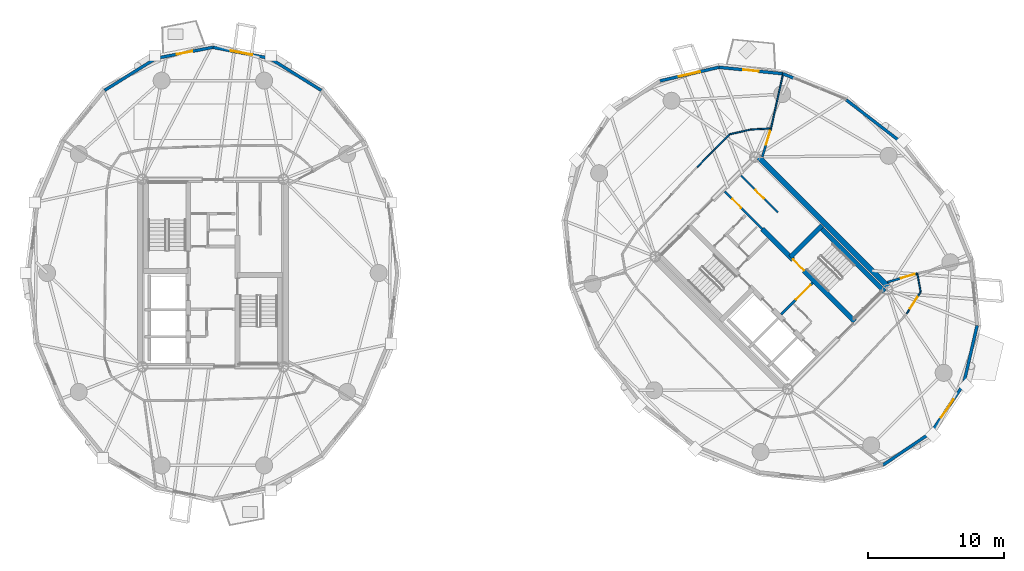
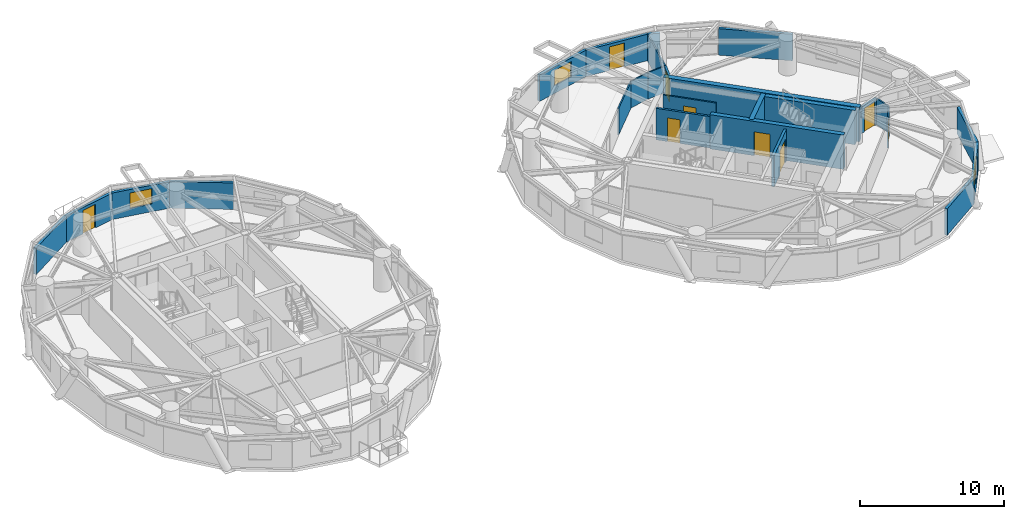
# One storey, part 13 of 17: 26 walls, 9 doors, 3 windows, 12 openings.
"""IFC4 building model written with IfcOpenShell, lengths in metres."""

import ifcopenshell
import ifcopenshell.guid

model = None  # the IFC model being written
_history = None  # IfcOwnerHistory: only IFC2X3 demands one
_inside = {}  # id of a spatial element -> (the spatial element, [elements in it])
_under = {}  # id of a project, library or spatial element -> (it, [spatial elements below it])
_declared = {}  # id of a project -> (the project, [libraries it declares])
_typed = {}  # id of a type object -> (the type object, [elements of that type])
_made_of = {}  # id of a material, layer set ... -> (it, [elements and type objects made of it])


def new_model(schema):
    """Start an empty IFC model of exactly this schema.

    Asked for "IFC4X3", IfcOpenShell would pick the latest addendum, in which some entities
    have other attributes; the version numbers below select the first issue.
    IFC2X3 requires an IfcOwnerHistory on every rooted entity: one is made here for all.
    """
    global model, _history
    if schema == "IFC4X3":
        model = ifcopenshell.file(schema_version=(4, 3, 0, 0))
    else:
        model = ifcopenshell.file(schema=schema)
    _inside.clear()
    _under.clear()
    _declared.clear()
    _typed.clear()
    _made_of.clear()
    _history = None
    if model.schema == "IFC2X3":
        org = make("IfcOrganization", Name="unknown")
        user = make(
            "IfcPersonAndOrganization",
            ThePerson=make("IfcPerson", FamilyName="unknown"),
            TheOrganization=org,
        )
        app = make(
            "IfcApplication",
            ApplicationDeveloper=org,
            Version="unknown",
            ApplicationFullName="unknown",
            ApplicationIdentifier="unknown",
        )
        _history = make(
            "IfcOwnerHistory",
            OwningUser=user,
            OwningApplication=app,
            ChangeAction="ADDED",
            CreationDate=0,
        )
    return model


def make(cls, **values):
    """One entity of the class cls with the attributes given. An attribute that is None is left unset."""
    return model.create_entity(
        cls, **{name: value for name, value in values.items() if value is not None}
    )


def rooted(cls, **values):
    """An entity with a GlobalId (a new one), such as an element, a storey or a relation."""
    return make(cls, GlobalId=ifcopenshell.guid.new(), OwnerHistory=_history, **values)


def si_unit(unit_type, name, prefix=None):
    """IfcSIUnit, for example si_unit("LENGTHUNIT", "METRE", prefix="MILLI")."""
    return make("IfcSIUnit", UnitType=unit_type, Prefix=prefix, Name=name)


def assignment(units):
    """IfcUnitAssignment: the units of a project."""
    return None if units is None else make("IfcUnitAssignment", Units=units)


def point(xyz):
    """IfcCartesianPoint."""
    return None if xyz is None else make("IfcCartesianPoint", Coordinates=xyz)


def direction(xyz):
    """IfcDirection."""
    return None if xyz is None else make("IfcDirection", DirectionRatios=xyz)


def frame(location, z_axis=None, x_axis=None):
    """IfcAxis2Placement3D, a coordinate frame: its origin and axes. An axis left out is left unset."""
    return make(
        "IfcAxis2Placement3D",
        Location=point(location),
        Axis=direction(z_axis),
        RefDirection=direction(x_axis),
    )


def frame_2d(location, x_axis=None):
    """IfcAxis2Placement2D, a coordinate frame in the plane: its origin and x axis."""
    return make(
        "IfcAxis2Placement2D", Location=point(location), RefDirection=direction(x_axis)
    )


def origin():
    """The frame at (0, 0, 0) with its axes left unset."""
    return frame((0.0, 0.0, 0.0))


def place(relative_to, where):
    """IfcLocalPlacement: puts the frame where relative to a parent placement (None: the world)."""
    return make(
        "IfcLocalPlacement", PlacementRelTo=relative_to, RelativePlacement=where
    )


def context(
    kind, dimensions, precision=None, world=None, true_north=None, identifier=None
):
    """IfcGeometricRepresentationContext, for example the 3D "Model" context."""
    return make(
        "IfcGeometricRepresentationContext",
        ContextIdentifier=identifier,
        ContextType=kind,
        CoordinateSpaceDimension=dimensions,
        Precision=precision,
        WorldCoordinateSystem=world,
        TrueNorth=true_north,
    )


def subcontext(parent, identifier, kind, view, scale=None):
    """IfcGeometricRepresentationSubContext, for example "Body" below "Model"."""
    return make(
        "IfcGeometricRepresentationSubContext",
        ContextIdentifier=identifier,
        ContextType=kind,
        ParentContext=parent,
        TargetScale=scale,
        TargetView=view,
    )


def project(units=None, contexts=None):
    """IfcProject with its units and contexts."""
    return rooted(
        "IfcProject",
        Name="project",
        RepresentationContexts=contexts,
        UnitsInContext=assignment(units),
    )


def spatial(cls, under=None, at=None, **own):
    """A site, building, storey or space (cls), placed at a placement, below another one or the project."""
    s = rooted(cls, ObjectPlacement=at, **own)
    if under is not None:
        _under.setdefault(under.id(), (under, []))[1].append(s)
    return s


def profile(cls, at=None, kind="AREA", **sizes):
    """A parametric profile (cls). Its sizes go by their IFC names, for example OverallWidth=200.0."""
    return make(cls, ProfileType=kind, Position=at, **sizes)


def rectangle(**sizes):
    """IfcRectangleProfileDef."""
    return profile("IfcRectangleProfileDef", **sizes)


def extrude(swept, where, along, depth):
    """IfcExtrudedAreaSolid: the profile swept, set in the frame where, extruded along a direction by depth."""
    return make(
        "IfcExtrudedAreaSolid",
        SweptArea=swept,
        Position=where,
        ExtrudedDirection=direction(along),
        Depth=depth,
    )


def shape(context_of_items, identifier, shape_type, items):
    """IfcShapeRepresentation: the items that make up one representation, for example the "Body"."""
    return make(
        "IfcShapeRepresentation",
        ContextOfItems=context_of_items,
        RepresentationIdentifier=identifier,
        RepresentationType=shape_type,
        Items=items,
    )


def source(mapping_origin, context_of_items, identifier, shape_type, items):
    """IfcRepresentationMap: a shape defined once, which mapped items show again and again."""
    return make(
        "IfcRepresentationMap",
        MappingOrigin=mapping_origin,
        MappedRepresentation=shape(context_of_items, identifier, shape_type, items),
    )


def transform(
    local_origin,
    x_axis=None,
    y_axis=None,
    z_axis=None,
    scale=None,
    scale2=None,
    scale3=None,
    uniform=True,
):
    """IfcCartesianTransformationOperator3D, or its non-uniform kind. x_axis, y_axis, z_axis: its Axis1, 2, 3."""
    if uniform:
        return make(
            "IfcCartesianTransformationOperator3D",
            Axis1=direction(x_axis),
            Axis2=direction(y_axis),
            LocalOrigin=point(local_origin),
            Scale=scale,
            Axis3=direction(z_axis),
        )
    return make(
        "IfcCartesianTransformationOperator3DnonUniform",
        Axis1=direction(x_axis),
        Axis2=direction(y_axis),
        LocalOrigin=point(local_origin),
        Scale=scale,
        Axis3=direction(z_axis),
        Scale2=scale2,
        Scale3=scale3,
    )


def mapped(mapping_source, mapping_target):
    """IfcMappedItem: shows the shape of a source again, moved by a transform."""
    return make(
        "IfcMappedItem", MappingSource=mapping_source, MappingTarget=mapping_target
    )


def material(Name=None, Category=None):
    """IfcMaterial."""
    return make("IfcMaterial", Name=Name, Category=Category)


def layer(
    of_material, thickness, ventilated=None, Name=None, Category=None, Priority=None
):
    """IfcMaterialLayer: one layer of a wall or slab, of a material (None: an air gap)."""
    return make(
        "IfcMaterialLayer",
        Material=of_material,
        LayerThickness=thickness,
        IsVentilated=ventilated,
        Name=Name,
        Category=Category,
        Priority=Priority,
    )


def layer_set(layers, Name=None):
    """IfcMaterialLayerSet."""
    return make("IfcMaterialLayerSet", MaterialLayers=layers, LayerSetName=Name)


def made_of(thing, what):
    """Note that an element or type object is made of a material, layer set ...; save() writes the relation."""
    if what is not None:
        _made_of.setdefault(what.id(), (what, []))[1].append(thing)
    return thing


def type_object(cls, material=None, **own):
    """A type object (cls), such as IfcWallType, which elements share."""
    return made_of(rooted(cls, **own), material)


def element(
    cls,
    number,
    at=None,
    inside=None,
    cuts=None,
    type_object=None,
    material=None,
    context=None,
    identifier="Body",
    shape_type=None,
    held_by="IfcProductDefinitionShape",
    body=None,
    shapes=None,
    **own,
):
    """One element of the class cls, such as IfcWall. Its Tag is "e" and its number.

    at: its placement. inside: the storey or other place that contains it. cuts: it is an
    opening in that element (IfcRelVoidsElement). A single representation is given by context,
    identifier, shape_type and body (its items); several are given by shapes. held_by: the class
    of the entity that holds the representations. save() writes the other relations.
    """
    e = rooted(cls, Tag="e%d" % number, ObjectPlacement=at, **own)
    if body is not None:
        shapes = [shape(context, identifier, shape_type, body)]
    if shapes is not None:
        e.Representation = make(held_by, Representations=shapes)
    if inside is not None:
        _inside.setdefault(inside.id(), (inside, []))[1].append(e)
    if cuts is not None:
        rooted(
            "IfcRelVoidsElement", RelatingBuildingElement=cuts, RelatedOpeningElement=e
        )
    if type_object is not None:
        _typed.setdefault(type_object.id(), (type_object, []))[1].append(e)
    return made_of(e, material)


def fill(opening, filler):
    """IfcRelFillsElement: the door or window that sits in an opening."""
    return rooted(
        "IfcRelFillsElement",
        RelatingOpeningElement=opening,
        RelatedBuildingElement=filler,
    )


def aggregate(whole, parts):
    """IfcRelAggregates: a whole, such as a stair, and the parts it consists of."""
    return rooted("IfcRelAggregates", RelatingObject=whole, RelatedObjects=parts)


def save(model, path):
    """Write the relations noted so far, then the file.

    IfcRelAggregates (storeys below a building ...), IfcRelContainedInSpatialStructure (elements
    in a storey), IfcRelDefinesByType, IfcRelAssociatesMaterial and IfcRelDeclares: one each for
    every whole, place, type object, material and project.
    """
    for whole, parts in _under.values():
        aggregate(whole, parts)
    for where, things in _inside.values():
        rooted(
            "IfcRelContainedInSpatialStructure",
            RelatedElements=things,
            RelatingStructure=where,
        )
    for kind, things in _typed.values():
        rooted("IfcRelDefinesByType", RelatedObjects=things, RelatingType=kind)
    for what, things in _made_of.values():
        rooted("IfcRelAssociatesMaterial", RelatedObjects=things, RelatingMaterial=what)
    for by, libraries in _declared.values():
        rooted("IfcRelDeclares", RelatingContext=by, RelatedDefinitions=libraries)
    model.write(path)


model = new_model("IFC4")

# Units and contexts
model_context = context("Model", 3, precision=1e-05, world=origin(), true_north=direction((0.0, 1.0)))
body_context = subcontext(model_context, "Body", "Model", "MODEL_VIEW")
ifc_project = project(units=[si_unit("LENGTHUNIT", "METRE"), si_unit("AREAUNIT", "SQUARE_METRE"), si_unit("VOLUMEUNIT", "CUBIC_METRE"), si_unit("PLANEANGLEUNIT", "RADIAN"), si_unit("MASSUNIT", "GRAM", prefix="KILO")], contexts=[model_context])

# Site, building, storey
site_placement = place(None, origin())
site = spatial("IfcSite", under=ifc_project, at=site_placement, CompositionType="ELEMENT")
building_placement = place(site_placement, origin())
building = spatial("IfcBuilding", under=site, at=building_placement, Name="Cununo Teusaquillo Station Towers", CompositionType="ELEMENT")
storey_placement = place(building_placement, frame((0.0, 0.0, 186.52001953125)))
storey = spatial("IfcBuildingStorey", under=building, at=storey_placement, Name="L59", CompositionType="ELEMENT", Elevation=186.52001953125)

# Wall, opening, door
ifc_material_1 = material(Name="Concrete C50/60", Category="concrete")
ifc_layer_1 = layer(ifc_material_1, 0.35009765625)
ifc_layer_set_1 = layer_set([ifc_layer_1], Name="Concrete C50/60")
wall_type_1 = type_object("IfcWallType", Name="WL-CORE-350", PredefinedType="SHEAR", material=ifc_layer_set_1)
wall_1_placement = place(storey_placement, frame((63.627197265625, 20.939697265625, 0.0), z_axis=(0.0, 0.0, 1.0), x_axis=(-0.707119496762, 0.707094065383, 0.0)))
wall_1 = element("IfcWall", 1, at=wall_1_placement, inside=storey, type_object=wall_type_1, Name="L59 Tower B Core Shear Wall IE", PredefinedType="SHEAR", context=body_context, shape_type="SweptSolid", body=[
    extrude(rectangle(XDim=9.60009765625, YDim=0.35009765625, at=frame_2d((4.800048828125, 0.0))), origin(), (0.0, 0.0, 1.0), 2.909912109375),
])
shared_shape_1 = source(origin(), body_context, "Body", "SweptSolid", [
    extrude(rectangle(XDim=1.14990234375, YDim=2.02001953125, at=frame_2d((0.574951171875, 1.010009765625))), frame((0.0, 0.18505859375, 0.0), z_axis=(0.0, -1.0, 0.0), x_axis=(1.0, 0.0, 0.0)), (0.0, 0.0, 1.0), 0.3701171875),
])
opening_1_placement = place(wall_1_placement, frame((5.280029296875, 0.0, 0.0)))
opening_1 = element("IfcOpeningElement", 2, at=opening_1_placement, cuts=wall_1, Name="Opening D-ST1", PredefinedType="OPENING", context=body_context, shape_type="MappedRepresentation", body=[
    mapped(shared_shape_1, transform((0.0, 0.0, 0.0), x_axis=(1.0, 0.0, 0.0), y_axis=(0.0, 1.0, 0.0), z_axis=(0.0, 0.0, 1.0), scale=1.0)),
])
ifc_material_2 = material(Name="Galvanised fire-rated hollow steel door assembly", Category="steel")
door_type_1 = type_object("IfcDoorType", Name="DR-STAIR-1150", OperationType="NOTDEFINED", PredefinedType="DOOR", material=ifc_material_2)
shared_shape_2 = source(origin(), body_context, "Body", "SweptSolid", [
    extrude(rectangle(XDim=1.14990234375, YDim=2.02001953125, at=frame_2d((0.574951171875, 1.010009765625))), frame((0.0, 0.02490234375, 0.0), z_axis=(0.0, -1.0, 0.0), x_axis=(1.0, 0.0, 0.0)), (0.0, 0.0, 1.0), 0.050048828125),
])
door_1_placement = place(opening_1_placement, origin())
door_1 = element("IfcDoor", 3, at=door_1_placement, inside=storey, type_object=door_type_1, Name="L59 Tower B Exit Stair 2 Fire Door", OperationType="SINGLE_SWING_LEFT", OverallHeight=2.02001953125, OverallWidth=1.14990234375, PredefinedType="DOOR", context=body_context, shape_type="MappedRepresentation", body=[
    mapped(shared_shape_2, transform((0.0, 0.0, 0.0), x_axis=(1.0, 0.0, 0.0), y_axis=(0.0, 1.0, 0.0), z_axis=(0.0, 0.0, 1.0), scale=1.0)),
])
fill(opening_1, door_1)

# Walls
wall_2_placement = place(storey_placement, frame((65.81201171875, 23.124755859375, 0.0), z_axis=(0.0, 0.0, 1.0), x_axis=(-0.707106781187, 0.707106781187, 0.0)))
element("IfcWall", 4, at=wall_2_placement, inside=storey, type_object=wall_type_1, Name="L59 Tower B Core Shear Wall ST2E", PredefinedType="SHEAR", context=body_context, shape_type="SweptSolid", body=[
    extrude(rectangle(XDim=6.695068359375, YDim=0.35009765625, at=frame_2d((3.34765625, 0.0))), origin(), (0.0, 0.0, 1.0), 2.909912109375),
])
wall_3_placement = place(storey_placement, frame((58.89306640625, 25.673828125, 0.0), z_axis=(0.0, 0.0, 1.0), x_axis=(0.707106781187, 0.707106781187, 0.0)))
element("IfcWall", 5, at=wall_3_placement, inside=storey, type_object=wall_type_1, Name="L59 Tower B Core Shear Wall ST2N", PredefinedType="SHEAR", context=body_context, shape_type="SweptSolid", body=[
    extrude(rectangle(XDim=3.284912109375, YDim=0.35009765625, at=frame_2d((1.642578125, 0.0))), origin(), (0.0, 0.0, 1.0), 2.909912109375),
])
ifc_material_3 = material(Name="Concrete C50/60", Category="concrete")
ifc_layer_2 = layer(ifc_material_3, 0.39990234375)
ifc_layer_set_2 = layer_set([ifc_layer_2], Name="Concrete C50/60")
wall_type_2 = type_object("IfcWallType", Name="WL-CORE-400", PredefinedType="SHEAR", material=ifc_layer_set_2)
wall_4_placement = place(storey_placement, frame((66.26806640625, 23.2978515625, 0.0), z_axis=(0.0, 0.0, 1.0), x_axis=(-0.707106781187, 0.707106781187, 0.0)))
element("IfcWall", 6, at=wall_4_placement, inside=storey, type_object=wall_type_2, Name="L59 Tower B Core Shear Wall E", PredefinedType="SHEAR", context=body_context, shape_type="SweptSolid", body=[
    extrude(rectangle(XDim=14.10009765625, YDim=0.39990234375, at=frame_2d((7.050048828125, 0.0))), origin(), (0.0, 0.0, 1.0), 2.909912109375),
])
ifc_material_4 = material(Name="Precast concrete C40/50", Category="concrete")
ifc_layer_3 = layer(ifc_material_4, 0.219970703125)
ifc_layer_set_3 = layer_set([ifc_layer_3], Name="Precast concrete C40/50")
wall_type_3 = type_object("IfcWallType", Name="WL-EXT-220", PredefinedType="SOLIDWALL", material=ifc_layer_set_3)
wall_5_placement = place(storey_placement, frame((20.681396484375, 40.259033203125, 0.0), z_axis=(0.0, 0.0, 1.0), x_axis=(0.848399108042, -0.529357113368, 0.0)))
element("IfcWall", 7, at=wall_5_placement, inside=storey, type_object=wall_type_3, Name="L59 Tower A Exterior Facade Wall C03", PredefinedType="SOLIDWALL", context=body_context, shape_type="SweptSolid", body=[
    extrude(rectangle(XDim=4.446044921875, YDim=0.219970703125, at=frame_2d((2.22314453125, 0.0))), origin(), (0.0, 0.0, 1.0), 2.244873046875),
])

# Wall, opening, window
wall_6_placement = place(storey_placement, frame((16.5, 41.070068359375, 0.0), z_axis=(0.0, 0.0, 1.0), x_axis=(0.981703883443, -0.190413983815, 0.0)))
wall_6 = element("IfcWall", 8, at=wall_6_placement, inside=storey, type_object=wall_type_3, Name="L59 Tower A Exterior Facade Wall C04", PredefinedType="SOLIDWALL", context=body_context, shape_type="SweptSolid", body=[
    extrude(rectangle(XDim=4.25927734375, YDim=0.219970703125, at=frame_2d((2.129638671875, 0.0))), origin(), (0.0, 0.0, 1.0), 2.244873046875),
])
shared_shape_3 = source(origin(), body_context, "Body", "SweptSolid", [
    extrude(rectangle(XDim=1.60009765625, YDim=1.300048828125, at=frame_2d((0.800048828125, 0.64990234375))), frame((0.0, 0.119873046875, 0.0), z_axis=(0.0, -1.0, 0.0), x_axis=(1.0, 0.0, 0.0)), (0.0, 0.0, 1.0), 0.239990234375),
])
opening_2_placement = place(wall_6_placement, frame((1.330078125, 0.0, 0.64990234375)))
opening_2 = element("IfcOpeningElement", 9, at=opening_2_placement, cuts=wall_6, Name="Opening WN-03", PredefinedType="OPENING", context=body_context, shape_type="MappedRepresentation", body=[
    mapped(shared_shape_3, transform((0.0, 0.0, 0.0), x_axis=(1.0, 0.0, 0.0), y_axis=(0.0, 1.0, 0.0), z_axis=(0.0, 0.0, 1.0), scale=1.0)),
])
ifc_material_5 = material(Name="Ceramic-fritted dark low-E double glazing", Category="glass")
window_type = type_object("IfcWindowType", Name="WIN-CORN-1600", PartitioningType="SINGLE_PANEL", PredefinedType="WINDOW", material=ifc_material_5)
shared_shape_4 = source(origin(), body_context, "Body", "SweptSolid", [
    extrude(rectangle(XDim=1.60009765625, YDim=1.300048828125, at=frame_2d((0.800048828125, 0.64990234375))), frame((0.0, 0.030029296875, 0.0), z_axis=(0.0, -1.0, 0.0), x_axis=(1.0, 0.0, 0.0)), (0.0, 0.0, 1.0), 0.06005859375),
])
window_1_placement = place(opening_2_placement, origin())
window_1 = element("IfcWindow", 10, at=window_1_placement, inside=storey, type_object=window_type, Name="L59 Tower A Facade Window C04", OverallHeight=1.300048828125, OverallWidth=1.60009765625, PartitioningType="SINGLE_PANEL", PredefinedType="WINDOW", context=body_context, shape_type="MappedRepresentation", body=[
    mapped(shared_shape_4, transform((0.0, 0.0, 0.0), x_axis=(1.0, 0.0, 0.0), y_axis=(0.0, 1.0, 0.0), z_axis=(0.0, 0.0, 1.0), scale=1.0)),
])
fill(opening_2, window_1)

# Wall, opening, door
wall_7_placement = place(storey_placement, frame((12.318603515625, 40.259033203125, 0.0), z_axis=(0.0, 0.0, 1.0), x_axis=(0.981703883443, 0.190413983815, 0.0)))
wall_7 = element("IfcWall", 11, at=wall_7_placement, inside=storey, type_object=wall_type_3, Name="L59 Tower A Exterior Facade Wall C05", PredefinedType="SOLIDWALL", context=body_context, shape_type="SweptSolid", body=[
    extrude(rectangle(XDim=4.25927734375, YDim=0.219970703125, at=frame_2d((2.129638671875, 0.0))), origin(), (0.0, 0.0, 1.0), 2.244873046875),
])
shared_shape_5 = source(origin(), body_context, "Body", "SweptSolid", [
    extrude(rectangle(XDim=1.14990234375, YDim=2.0048828125, at=frame_2d((0.574951171875, 1.00244140625))), frame((0.0, 0.119873046875, 0.0), z_axis=(0.0, -1.0, 0.0), x_axis=(1.0, 0.0, 0.0)), (0.0, 0.0, 1.0), 0.239990234375),
])
opening_3_placement = place(wall_7_placement, frame((1.554931640625, 0.0, 0.0)))
opening_3 = element("IfcOpeningElement", 12, at=opening_3_placement, cuts=wall_7, Name="Opening ED-03", PredefinedType="OPENING", context=body_context, shape_type="MappedRepresentation", body=[
    mapped(shared_shape_5, transform((0.0, 0.0, 0.0), x_axis=(1.0, 0.0, 0.0), y_axis=(0.0, 1.0, 0.0), z_axis=(0.0, 0.0, 1.0), scale=1.0)),
])
ifc_material_6 = material(Name="Anodised dark bronze aluminium EN AW-6063-T6", Category="aluminium")
door_type_2 = type_object("IfcDoorType", Name="DR-EXT-BAL", OperationType="NOTDEFINED", PredefinedType="DOOR", material=ifc_material_6)
shared_shape_6 = source(origin(), body_context, "Body", "SweptSolid", [
    extrude(rectangle(XDim=1.14990234375, YDim=2.0048828125, at=frame_2d((0.574951171875, 1.00244140625))), frame((0.0, 0.02490234375, 0.0), z_axis=(0.0, -1.0, 0.0), x_axis=(1.0, 0.0, 0.0)), (0.0, 0.0, 1.0), 0.050048828125),
])
door_2_placement = place(opening_3_placement, origin())
door_2 = element("IfcDoor", 13, at=door_2_placement, inside=storey, type_object=door_type_2, Name="L59 Tower A Tree Balcony Door C05", OperationType="SINGLE_SWING_LEFT", OverallHeight=2.0048828125, OverallWidth=1.14990234375, PredefinedType="DOOR", context=body_context, shape_type="MappedRepresentation", body=[
    mapped(shared_shape_6, transform((0.0, 0.0, 0.0), x_axis=(1.0, 0.0, 0.0), y_axis=(0.0, 1.0, 0.0), z_axis=(0.0, 0.0, 1.0), scale=1.0)),
])
fill(opening_3, door_2)

# Walls
wall_8_placement = place(storey_placement, frame((8.546630859375, 37.905517578125, 0.0), z_axis=(0.0, 0.0, 1.0), x_axis=(0.848399108042, 0.529357113368, 0.0)))
element("IfcWall", 14, at=wall_8_placement, inside=storey, type_object=wall_type_3, Name="L59 Tower A Exterior Facade Wall C06", PredefinedType="SOLIDWALL", context=body_context, shape_type="SweptSolid", body=[
    extrude(rectangle(XDim=4.446044921875, YDim=0.219970703125, at=frame_2d((2.22314453125, 0.0))), origin(), (0.0, 0.0, 1.0), 2.244873046875),
])
wall_9_placement = place(storey_placement, frame((62.97900390625, 37.22021484375, 0.0), z_axis=(0.0, 0.0, 1.0), x_axis=(0.791962560189, -0.610569654715, 0.0)))
element("IfcWall", 15, at=wall_9_placement, inside=storey, type_object=wall_type_3, Name="L59 Tower B Exterior Facade Wall C00", PredefinedType="SOLIDWALL", context=body_context, shape_type="SweptSolid", body=[
    extrude(rectangle(XDim=5.162841796875, YDim=0.219970703125, at=frame_2d((2.58154296875, 0.0))), origin(), (0.0, 0.0, 1.0), 2.244873046875),
])
wall_10_placement = place(storey_placement, frame((58.353515625, 39.12744140625, 0.0), z_axis=(0.0, 0.0, 1.0), x_axis=(0.924556017656, -0.381046152345, 0.0)))
element("IfcWall", 16, at=wall_10_placement, inside=storey, type_object=wall_type_3, Name="L59 Tower B Column Pier Cladding Wall C01-PA", PredefinedType="SOLIDWALL", context=body_context, shape_type="SweptSolid", body=[
    extrude(rectangle(XDim=0.8701171875, YDim=0.219970703125, at=frame_2d((0.43505859375, 0.0))), origin(), (0.0, 0.0, 1.0), 2.244873046875),
])

# Wall, opening, door
wall_11_placement = place(storey_placement, frame((53.644775390625, 39.602783203125, 0.0), z_axis=(0.0, 0.0, 1.0), x_axis=(0.994943283129, -0.100438356004, 0.0)))
wall_11 = element("IfcWall", 17, at=wall_11_placement, inside=storey, type_object=wall_type_3, Name="L59 Tower B Exterior Facade Wall C02", PredefinedType="SOLIDWALL", context=body_context, shape_type="SweptSolid", body=[
    extrude(rectangle(XDim=4.732666015625, YDim=0.219970703125, at=frame_2d((2.3662109375, 0.0))), origin(), (0.0, 0.0, 1.0), 2.244873046875),
])
opening_4_placement = place(wall_11_placement, frame((1.791015625, 0.0, 0.0)))
opening_4 = element("IfcOpeningElement", 18, at=opening_4_placement, cuts=wall_11, Name="Opening ED-03", PredefinedType="OPENING", context=body_context, shape_type="MappedRepresentation", body=[
    mapped(shared_shape_5, transform((0.0, 0.0, 0.0), x_axis=(1.0, 0.0, 0.0), y_axis=(0.0, 1.0, 0.0), z_axis=(0.0, 0.0, 1.0), scale=1.0)),
])
door_3_placement = place(opening_4_placement, origin())
door_3 = element("IfcDoor", 19, at=door_3_placement, inside=storey, type_object=door_type_2, Name="L59 Tower B Tree Balcony Door C02", OperationType="SINGLE_SWING_LEFT", OverallHeight=2.0048828125, OverallWidth=1.14990234375, PredefinedType="DOOR", context=body_context, shape_type="MappedRepresentation", body=[
    mapped(shared_shape_6, transform((0.0, 0.0, 0.0), x_axis=(1.0, 0.0, 0.0), y_axis=(0.0, 1.0, 0.0), z_axis=(0.0, 0.0, 1.0), scale=1.0)),
])
fill(opening_4, door_3)

# Wall, opening, window
wall_12_placement = place(storey_placement, frame((49.313232421875, 38.599853515625, 0.0), z_axis=(0.0, 0.0, 1.0), x_axis=(0.97422620202, 0.22557328587, 0.0)))
wall_12 = element("IfcWall", 20, at=wall_12_placement, inside=storey, type_object=wall_type_3, Name="L59 Tower B Exterior Facade Wall C03", PredefinedType="SOLIDWALL", context=body_context, shape_type="SweptSolid", body=[
    extrude(rectangle(XDim=4.446044921875, YDim=0.219970703125, at=frame_2d((2.22314453125, 0.0))), origin(), (0.0, 0.0, 1.0), 2.244873046875),
])
opening_5_placement = place(wall_12_placement, frame((1.423095703125, 0.0, 0.64990234375)))
opening_5 = element("IfcOpeningElement", 21, at=opening_5_placement, cuts=wall_12, Name="Opening WN-03", PredefinedType="OPENING", context=body_context, shape_type="MappedRepresentation", body=[
    mapped(shared_shape_3, transform((0.0, 0.0, 0.0), x_axis=(1.0, 0.0, 0.0), y_axis=(0.0, 1.0, 0.0), z_axis=(0.0, 0.0, 1.0), scale=1.0)),
])
window_2_placement = place(opening_5_placement, origin())
window_2 = element("IfcWindow", 22, at=window_2_placement, inside=storey, type_object=window_type, Name="L59 Tower B Facade Window C03", OverallHeight=1.300048828125, OverallWidth=1.60009765625, PartitioningType="SINGLE_PANEL", PredefinedType="WINDOW", context=body_context, shape_type="MappedRepresentation", body=[
    mapped(shared_shape_4, transform((0.0, 0.0, 0.0), x_axis=(1.0, 0.0, 0.0), y_axis=(0.0, 1.0, 0.0), z_axis=(0.0, 0.0, 1.0), scale=1.0)),
])
fill(opening_5, window_2)

# Wall
wall_13_placement = place(storey_placement, frame((69.216796875, 12.783203125, 0.0), z_axis=(0.0, 0.0, 1.0), x_axis=(-0.828817439852, -0.55951912514, 0.0)))
element("IfcWall", 23, at=wall_13_placement, inside=storey, type_object=wall_type_3, Name="L59 Tower B Exterior Facade Wall C14", PredefinedType="SOLIDWALL", context=body_context, shape_type="SweptSolid", body=[
    extrude(rectangle(XDim=4.259033203125, YDim=0.219970703125, at=frame_2d((2.12939453125, 0.0))), origin(), (0.0, 0.0, 1.0), 2.244873046875),
])

# Wall, opening, window
wall_14_placement = place(storey_placement, frame((71.599853515625, 16.313232421875, 0.0), z_axis=(0.0, 0.0, 1.0), x_axis=(-0.55951912514, -0.828817439852, 0.0)))
wall_14 = element("IfcWall", 24, at=wall_14_placement, inside=storey, type_object=wall_type_3, Name="L59 Tower B Exterior Facade Wall C15", PredefinedType="SOLIDWALL", context=body_context, shape_type="SweptSolid", body=[
    extrude(rectangle(XDim=4.259033203125, YDim=0.219970703125, at=frame_2d((2.12939453125, 0.0))), origin(), (0.0, 0.0, 1.0), 2.244873046875),
])
opening_6_placement = place(wall_14_placement, frame((1.330078125, 0.0, 0.64990234375)))
opening_6 = element("IfcOpeningElement", 25, at=opening_6_placement, cuts=wall_14, Name="Opening WN-03", PredefinedType="OPENING", context=body_context, shape_type="MappedRepresentation", body=[
    mapped(shared_shape_3, transform((0.0, 0.0, 0.0), x_axis=(1.0, 0.0, 0.0), y_axis=(0.0, 1.0, 0.0), z_axis=(0.0, 0.0, 1.0), scale=1.0)),
])
window_3_placement = place(opening_6_placement, origin())
window_3 = element("IfcWindow", 26, at=window_3_placement, inside=storey, type_object=window_type, Name="L59 Tower B Facade Window C15", OverallHeight=1.300048828125, OverallWidth=1.60009765625, PartitioningType="SINGLE_PANEL", PredefinedType="WINDOW", context=body_context, shape_type="MappedRepresentation", body=[
    mapped(shared_shape_4, transform((0.0, 0.0, 0.0), x_axis=(1.0, 0.0, 0.0), y_axis=(0.0, 1.0, 0.0), z_axis=(0.0, 0.0, 1.0), scale=1.0)),
])
fill(opening_6, window_3)

# Walls
wall_15_placement = place(storey_placement, frame((72.602783203125, 20.644775390625, 0.0), z_axis=(0.0, 0.0, 1.0), x_axis=(-0.22557328587, -0.97422620202, 0.0)))
element("IfcWall", 27, at=wall_15_placement, inside=storey, type_object=wall_type_3, Name="L59 Tower B Exterior Facade Wall C16", PredefinedType="SOLIDWALL", context=body_context, shape_type="SweptSolid", body=[
    extrude(rectangle(XDim=4.446044921875, YDim=0.219970703125, at=frame_2d((2.22314453125, 0.0))), origin(), (0.0, 0.0, 1.0), 2.244873046875),
])
ifc_material_7 = material(Name="Fire-rated gypsum plasterboard partition assembly", Category="gypsum")
ifc_layer_4 = layer(ifc_material_7, 0.10009765625)
ifc_layer_set_4 = layer_set([ifc_layer_4], Name="Fire-rated gypsum plasterboard partition assembly")
wall_type_4 = type_object("IfcWallType", Name="WL-PART-100", PredefinedType="MOVABLE", material=ifc_layer_set_4)
wall_16_placement = place(storey_placement, frame((57.466796875, 35.111328125, 0.0), z_axis=(0.0, 0.0, 1.0), x_axis=(-0.998691757323, -0.051134859488, 0.0)))
element("IfcWall", 28, at=wall_16_placement, inside=storey, type_object=wall_type_4, Name="L59 Tower B Corridor Ring Wall C02", PredefinedType="MOVABLE", context=body_context, shape_type="SweptSolid", body=[
    extrude(rectangle(XDim=1.48486328125, YDim=0.10009765625, at=frame_2d((0.742431640625, 0.0))), origin(), (0.0, 0.0, 1.0), 2.244873046875),
])
wall_17_placement = place(storey_placement, frame((55.98388671875, 35.035400390625, 0.0), z_axis=(0.0, 0.0, 1.0), x_axis=(-0.975290305708, -0.22092718165, 0.0)))
element("IfcWall", 29, at=wall_17_placement, inside=storey, type_object=wall_type_4, Name="L59 Tower B Corridor Ring Wall C03", PredefinedType="MOVABLE", context=body_context, shape_type="SweptSolid", body=[
    extrude(rectangle(XDim=1.596923828125, YDim=0.10009765625, at=frame_2d((0.79833984375, 0.0))), origin(), (0.0, 0.0, 1.0), 2.244873046875),
])
wall_18_placement = place(storey_placement, frame((54.426513671875, 34.6826171875, 0.0), z_axis=(0.0, 0.0, 1.0), x_axis=(-0.704178989986, -0.710022499687, 0.0)))
element("IfcWall", 30, at=wall_18_placement, inside=storey, type_object=wall_type_4, Name="L59 Tower B Corridor Ring Wall C04", PredefinedType="MOVABLE", context=body_context, shape_type="SweptSolid", body=[
    extrude(rectangle(XDim=3.38427734375, YDim=0.10009765625, at=frame_2d((1.692138671875, 0.0))), origin(), (0.0, 0.0, 1.0), 2.244873046875),
])

# Wall, opening, door
wall_19_placement = place(storey_placement, frame((67.4345703125, 21.521484375, 0.0), z_axis=(0.0, 0.0, 1.0), x_axis=(0.540777197838, 0.841165870859, 0.0)))
wall_19 = element("IfcWall", 31, at=wall_19_placement, inside=storey, type_object=wall_type_4, Name="L59 Tower B Corridor Ring Wall C16", PredefinedType="MOVABLE", context=body_context, shape_type="SweptSolid", body=[
    extrude(rectangle(XDim=1.887939453125, YDim=0.10009765625, at=frame_2d((0.94384765625, 0.0))), origin(), (0.0, 0.0, 1.0), 2.244873046875),
])
shared_shape_7 = source(origin(), body_context, "Body", "SweptSolid", [
    extrude(rectangle(XDim=1.0, YDim=2.014892578125, at=frame_2d((0.5, 1.00732421875))), frame((0.0, 0.06005859375, 0.0), z_axis=(0.0, -1.0, 0.0), x_axis=(1.0, 0.0, 0.0)), (0.0, 0.0, 1.0), 0.1201171875),
])
opening_7_placement = place(wall_19_placement, frame((0.44384765625, 0.0, 0.0)))
opening_7 = element("IfcOpeningElement", 32, at=opening_7_placement, cuts=wall_19, Name="Opening D-AC1", PredefinedType="OPENING", context=body_context, shape_type="MappedRepresentation", body=[
    mapped(shared_shape_7, transform((0.0, 0.0, 0.0), x_axis=(1.0, 0.0, 0.0), y_axis=(0.0, 1.0, 0.0), z_axis=(0.0, 0.0, 1.0), scale=1.0)),
])
ifc_material_8 = material(Name="Acoustic solid-core hardwood leaf assembly", Category="wood")
door_type_3 = type_object("IfcDoorType", Name="DR-ACC-1000", OperationType="NOTDEFINED", PredefinedType="DOOR", material=ifc_material_8)
shared_shape_8 = source(origin(), body_context, "Body", "SweptSolid", [
    extrude(rectangle(XDim=1.0, YDim=2.014892578125, at=frame_2d((0.5, 1.00732421875))), frame((0.0, 0.02490234375, 0.0), z_axis=(0.0, -1.0, 0.0), x_axis=(1.0, 0.0, 0.0)), (0.0, 0.0, 1.0), 0.050048828125),
])
door_4_placement = place(opening_7_placement, origin())
door_4 = element("IfcDoor", 33, at=door_4_placement, inside=storey, type_object=door_type_3, Name="L59 Tower B Public Accessible Restroom WC Entrance Door", OperationType="SINGLE_SWING_LEFT", OverallHeight=2.014892578125, OverallWidth=1.0, PredefinedType="DOOR", context=body_context, shape_type="MappedRepresentation", body=[
    mapped(shared_shape_8, transform((0.0, 0.0, 0.0), x_axis=(1.0, 0.0, 0.0), y_axis=(0.0, 1.0, 0.0), z_axis=(0.0, 0.0, 1.0), scale=1.0)),
])
fill(opening_7, door_4)

# Walls
wall_20_placement = place(storey_placement, frame((68.45556640625, 23.109619140625, 0.0), z_axis=(0.0, 0.0, 1.0), x_axis=(-0.1772522795, 0.984165448191, 0.0)))
element("IfcWall", 34, at=wall_20_placement, inside=storey, type_object=wall_type_4, Name="L59 Tower B Corridor Ring Wall C17", PredefinedType="MOVABLE", context=body_context, shape_type="SweptSolid", body=[
    extrude(rectangle(XDim=1.381591796875, YDim=0.10009765625, at=frame_2d((0.69091796875, 0.0))), origin(), (0.0, 0.0, 1.0), 2.244873046875),
])
wall_21_placement = place(storey_placement, frame((57.466796875, 35.111328125, 0.0), z_axis=(0.0, 0.0, 1.0), x_axis=(0.21593243766, 0.976408307198, 0.0)))
element("IfcWall", 35, at=wall_21_placement, inside=storey, type_object=wall_type_4, Name="L59 Tower B Radial Suite Partition R01", PredefinedType="MOVABLE", context=body_context, shape_type="SweptSolid", body=[
    extrude(rectangle(XDim=4.093017578125, YDim=0.10009765625, at=frame_2d((2.04638671875, 0.0))), origin(), (0.0, 0.0, 1.0), 2.244873046875),
])

# Wall, opening, door
ifc_material_9 = material(Name="Fire-rated gypsum plasterboard partition assembly", Category="gypsum")
ifc_layer_5 = layer(ifc_material_9, 0.125)
ifc_layer_set_5 = layer_set([ifc_layer_5], Name="Fire-rated gypsum plasterboard partition assembly")
wall_type_5 = type_object("IfcWallType", Name="WL-PART-125", PredefinedType="PARTITIONING", material=ifc_layer_set_5)
wall_22_placement = place(storey_placement, frame((57.980712890625, 28.940673828125, 0.0), z_axis=(0.0, 0.0, 1.0), x_axis=(-0.707074823725, 0.707138737204, 0.0)))
wall_22 = element("IfcWall", 36, at=wall_22_placement, inside=storey, type_object=wall_type_5, Name="L59 Tower B Reclaimed Bay Vertical Split Wall", PredefinedType="PARTITIONING", context=body_context, shape_type="SweptSolid", body=[
    extrude(rectangle(XDim=3.81982421875, YDim=0.125, at=frame_2d((1.909912109375, 0.0))), origin(), (0.0, 0.0, 1.0), 2.675048828125),
])
shared_shape_9 = source(origin(), body_context, "Body", "SweptSolid", [
    extrude(rectangle(XDim=0.89990234375, YDim=2.0048828125, at=frame_2d((0.449951171875, 1.00244140625))), frame((0.0, 0.072509765625, 0.0), z_axis=(0.0, -1.0, 0.0), x_axis=(1.0, 0.0, 0.0)), (0.0, 0.0, 1.0), 0.14501953125),
])
opening_8_placement = place(wall_22_placement, frame((1.449951171875, 0.0, 0.0)))
opening_8 = element("IfcOpeningElement", 37, at=opening_8_placement, cuts=wall_22, Name="Opening D-IN1", PredefinedType="OPENING", context=body_context, shape_type="MappedRepresentation", body=[
    mapped(shared_shape_9, transform((0.0, 0.0, 0.0), x_axis=(1.0, 0.0, 0.0), y_axis=(0.0, 1.0, 0.0), z_axis=(0.0, 0.0, 1.0), scale=1.0)),
])
ifc_material_10 = material(Name="Acoustic solid-core hardwood leaf assembly", Category="wood")
door_type_4 = type_object("IfcDoorType", Name="DR-INT-900", OperationType="NOTDEFINED", PredefinedType="DOOR", material=ifc_material_10)
shared_shape_10 = source(origin(), body_context, "Body", "SweptSolid", [
    extrude(rectangle(XDim=0.89990234375, YDim=2.0048828125, at=frame_2d((0.449951171875, 1.00244140625))), frame((0.0, 0.02490234375, 0.0), z_axis=(0.0, -1.0, 0.0), x_axis=(1.0, 0.0, 0.0)), (0.0, 0.0, 1.0), 0.050048828125),
])
door_5_placement = place(opening_8_placement, origin())
door_5 = element("IfcDoor", 38, at=door_5_placement, inside=storey, type_object=door_type_4, Name="L59 Tower B Reclaimed Acoustic Booth Door", OperationType="SINGLE_SWING_RIGHT", OverallHeight=2.0048828125, OverallWidth=0.89990234375, PredefinedType="DOOR", context=body_context, shape_type="MappedRepresentation", body=[
    mapped(shared_shape_10, transform((0.0, 0.0, 0.0), x_axis=(1.0, 0.0, 0.0), y_axis=(0.0, 1.0, 0.0), z_axis=(0.0, 0.0, 1.0), scale=1.0)),
])
fill(opening_8, door_5)

ifc_material_11 = material(Name="Fire-rated gypsum plasterboard partition assembly", Category="gypsum")
ifc_layer_6 = layer(ifc_material_11, 0.159912109375)
ifc_layer_set_6 = layer_set([ifc_layer_6], Name="Fire-rated gypsum plasterboard partition assembly")
wall_type_6 = type_object("IfcWallType", Name="WL-PART-160", PredefinedType="PARTITIONING", material=ifc_layer_set_6)
wall_23_placement = place(storey_placement, frame((56.8388671875, 27.727783203125, 0.0), z_axis=(0.0, 0.0, 1.0), x_axis=(-0.707106781187, 0.707106781187, 0.0)))
wall_23 = element("IfcWall", 39, at=wall_23_placement, inside=storey, type_object=wall_type_6, Name="L59 Tower B Reclaimed Core Bay Entry Wall", PredefinedType="PARTITIONING", context=body_context, shape_type="SweptSolid", body=[
    extrude(rectangle(XDim=3.900146484375, YDim=0.159912109375, at=frame_2d((1.9501953125, 0.0))), origin(), (0.0, 0.0, 1.0), 2.675048828125),
])
shared_shape_11 = source(origin(), body_context, "Body", "SweptSolid", [
    extrude(rectangle(XDim=0.89990234375, YDim=2.0048828125, at=frame_2d((0.449951171875, 1.00244140625))), frame((0.0, 0.08984375, 0.0), z_axis=(0.0, -1.0, 0.0), x_axis=(1.0, 0.0, 0.0)), (0.0, 0.0, 1.0), 0.179931640625),
])
opening_9_placement = place(wall_23_placement, frame((2.199951171875, 0.0, 0.0)))
opening_9 = element("IfcOpeningElement", 40, at=opening_9_placement, cuts=wall_23, Name="Opening D-IN1", PredefinedType="OPENING", context=body_context, shape_type="MappedRepresentation", body=[
    mapped(shared_shape_11, transform((0.0, 0.0, 0.0), x_axis=(1.0, 0.0, 0.0), y_axis=(0.0, 1.0, 0.0), z_axis=(0.0, 0.0, 1.0), scale=1.0)),
])
door_6_placement = place(opening_9_placement, origin())
door_6 = element("IfcDoor", 41, at=door_6_placement, inside=storey, type_object=door_type_4, Name="L59 Tower B Reclaimed Meeting Room Door", OperationType="SINGLE_SWING_LEFT", OverallHeight=2.0048828125, OverallWidth=0.89990234375, PredefinedType="DOOR", context=body_context, shape_type="MappedRepresentation", body=[
    mapped(shared_shape_10, transform((0.0, 0.0, 0.0), x_axis=(1.0, 0.0, 0.0), y_axis=(0.0, 1.0, 0.0), z_axis=(0.0, 0.0, 1.0), scale=1.0)),
])
fill(opening_9, door_6)

wall_24_placement = place(storey_placement, frame((56.828125, 33.0205078125, 0.0), z_axis=(0.0, 0.0, 1.0), x_axis=(0.292139093972, 0.956375841274, 0.0)))
wall_24 = element("IfcWall", 42, at=wall_24_placement, inside=storey, type_object=wall_type_6, Name="L59 Tower B East Salon Corridor Portal Wall NE", PredefinedType="PARTITIONING", context=body_context, shape_type="SweptSolid", body=[
    extrude(rectangle(XDim=2.186279296875, YDim=0.159912109375, at=frame_2d((1.09326171875, 0.0))), origin(), (0.0, 0.0, 1.0), 2.244873046875),
])
shared_shape_12 = source(origin(), body_context, "Body", "SweptSolid", [
    extrude(rectangle(XDim=1.050048828125, YDim=2.014892578125, at=frame_2d((0.52490234375, 1.00732421875))), frame((0.0, 0.08984375, 0.0), z_axis=(0.0, -1.0, 0.0), x_axis=(1.0, 0.0, 0.0)), (0.0, 0.0, 1.0), 0.179931640625),
])
opening_10_placement = place(wall_24_placement, frame((0.93603515625, 0.0, 0.0)))
opening_10 = element("IfcOpeningElement", 43, at=opening_10_placement, cuts=wall_24, Name="Opening D-SU1", PredefinedType="OPENING", context=body_context, shape_type="MappedRepresentation", body=[
    mapped(shared_shape_12, transform((0.0, 0.0, 0.0), x_axis=(1.0, 0.0, 0.0), y_axis=(0.0, 1.0, 0.0), z_axis=(0.0, 0.0, 1.0), scale=1.0)),
])
ifc_material_12 = material(Name="Acoustic solid-core hardwood leaf assembly", Category="wood")
door_type_5 = type_object("IfcDoorType", Name="DR-SUITE-1050", OperationType="NOTDEFINED", PredefinedType="DOOR", material=ifc_material_12)
shared_shape_13 = source(origin(), body_context, "Body", "SweptSolid", [
    extrude(rectangle(XDim=1.050048828125, YDim=2.014892578125, at=frame_2d((0.52490234375, 1.00732421875))), frame((0.0, 0.02490234375, 0.0), z_axis=(0.0, -1.0, 0.0), x_axis=(1.0, 0.0, 0.0)), (0.0, 0.0, 1.0), 0.050048828125),
])
door_7_placement = place(opening_10_placement, origin())
door_7 = element("IfcDoor", 44, at=door_7_placement, inside=storey, type_object=door_type_5, Name="L59 Tower B East Panorama Sky Salon Door NE", OperationType="SINGLE_SWING_LEFT", OverallHeight=2.014892578125, OverallWidth=1.050048828125, PredefinedType="DOOR", context=body_context, shape_type="MappedRepresentation", body=[
    mapped(shared_shape_13, transform((0.0, 0.0, 0.0), x_axis=(1.0, 0.0, 0.0), y_axis=(0.0, 1.0, 0.0), z_axis=(0.0, 0.0, 1.0), scale=1.0)),
])
fill(opening_10, door_7)

wall_25_placement = place(storey_placement, frame((66.0205078125, 23.828125, 0.0), z_axis=(0.0, 0.0, 1.0), x_axis=(0.959727558294, 0.280932400856, 0.0)))
wall_25 = element("IfcWall", 45, at=wall_25_placement, inside=storey, type_object=wall_type_6, Name="L59 Tower B East Salon Corridor Portal Wall SE", PredefinedType="PARTITIONING", context=body_context, shape_type="SweptSolid", body=[
    extrude(rectangle(XDim=2.281982421875, YDim=0.159912109375, at=frame_2d((1.14111328125, 0.0))), origin(), (0.0, 0.0, 1.0), 2.244873046875),
])
opening_11_placement = place(wall_25_placement, frame((1.031982421875, 0.0, 0.0)))
opening_11 = element("IfcOpeningElement", 46, at=opening_11_placement, cuts=wall_25, Name="Opening D-SU1", PredefinedType="OPENING", context=body_context, shape_type="MappedRepresentation", body=[
    mapped(shared_shape_12, transform((0.0, 0.0, 0.0), x_axis=(1.0, 0.0, 0.0), y_axis=(0.0, 1.0, 0.0), z_axis=(0.0, 0.0, 1.0), scale=1.0)),
])
door_8_placement = place(opening_11_placement, origin())
door_8 = element("IfcDoor", 47, at=door_8_placement, inside=storey, type_object=door_type_5, Name="L59 Tower B East Panorama Sky Salon Door SE", OperationType="SINGLE_SWING_RIGHT", OverallHeight=2.014892578125, OverallWidth=1.050048828125, PredefinedType="DOOR", context=body_context, shape_type="MappedRepresentation", body=[
    mapped(shared_shape_13, transform((0.0, 0.0, 0.0), x_axis=(1.0, 0.0, 0.0), y_axis=(0.0, 1.0, 0.0), z_axis=(0.0, 0.0, 1.0), scale=1.0)),
])
fill(opening_11, door_8)

ifc_material_13 = material(Name="Fire-rated gypsum plasterboard partition assembly", Category="gypsum")
ifc_layer_7 = layer(ifc_material_13, 0.199951171875)
ifc_layer_set_7 = layer_set([ifc_layer_7], Name="Fire-rated gypsum plasterboard partition assembly")
wall_type_7 = type_object("IfcWallType", Name="WL-PART-200", PredefinedType="PARTITIONING", material=ifc_layer_set_7)
wall_26_placement = place(storey_placement, frame((58.214111328125, 21.466552734375, 0.0), z_axis=(0.0, 0.0, 1.0), x_axis=(0.707106781187, 0.707106781187, 0.0)))
wall_26 = element("IfcWall", 48, at=wall_26_placement, inside=storey, type_object=wall_type_7, Name="L59 Tower B Firefighting Lift Lobby South Fire Wall", PredefinedType="PARTITIONING", context=body_context, shape_type="SweptSolid", body=[
    extrude(rectangle(XDim=3.280029296875, YDim=0.199951171875, at=frame_2d((1.64013671875, 0.0))), origin(), (0.0, 0.0, 1.0), 2.675048828125),
])
shared_shape_14 = source(origin(), body_context, "Body", "SweptSolid", [
    extrude(rectangle(XDim=1.5, YDim=2.02001953125, at=frame_2d((0.75, 1.010009765625))), frame((0.0, 0.10986328125, 0.0), z_axis=(0.0, -1.0, 0.0), x_axis=(1.0, 0.0, 0.0)), (0.0, 0.0, 1.0), 0.219970703125),
])
opening_12_placement = place(wall_26_placement, frame((1.550048828125, 0.0, 0.0)))
opening_12 = element("IfcOpeningElement", 49, at=opening_12_placement, cuts=wall_26, Name="Opening D-LB1", PredefinedType="OPENING", context=body_context, shape_type="MappedRepresentation", body=[
    mapped(shared_shape_14, transform((0.0, 0.0, 0.0), x_axis=(1.0, 0.0, 0.0), y_axis=(0.0, 1.0, 0.0), z_axis=(0.0, 0.0, 1.0), scale=1.0)),
])
ifc_material_14 = material(Name="Galvanised fire-rated hollow steel door assembly", Category="steel")
door_type_6 = type_object("IfcDoorType", Name="DR-LOBBY-1500", OperationType="DOUBLE_DOOR_SINGLE_SWING", PredefinedType="DOOR", material=ifc_material_14)
shared_shape_15 = source(origin(), body_context, "Body", "SweptSolid", [
    extrude(rectangle(XDim=1.5, YDim=2.02001953125, at=frame_2d((0.75, 1.010009765625))), frame((0.0, 0.02490234375, 0.0), z_axis=(0.0, -1.0, 0.0), x_axis=(1.0, 0.0, 0.0)), (0.0, 0.0, 1.0), 0.050048828125),
])
door_9_placement = place(opening_12_placement, origin())
door_9 = element("IfcDoor", 50, at=door_9_placement, inside=storey, type_object=door_type_6, Name="L59 Tower B Firefighting Lift Lobby South Fire Door", OperationType="DOUBLE_DOOR_SINGLE_SWING", OverallHeight=2.02001953125, OverallWidth=1.5, PredefinedType="DOOR", context=body_context, shape_type="MappedRepresentation", body=[
    mapped(shared_shape_15, transform((0.0, 0.0, 0.0), x_axis=(1.0, 0.0, 0.0), y_axis=(0.0, 1.0, 0.0), z_axis=(0.0, 0.0, 1.0), scale=1.0)),
])
fill(opening_12, door_9)

save(model, "model.ifc")
